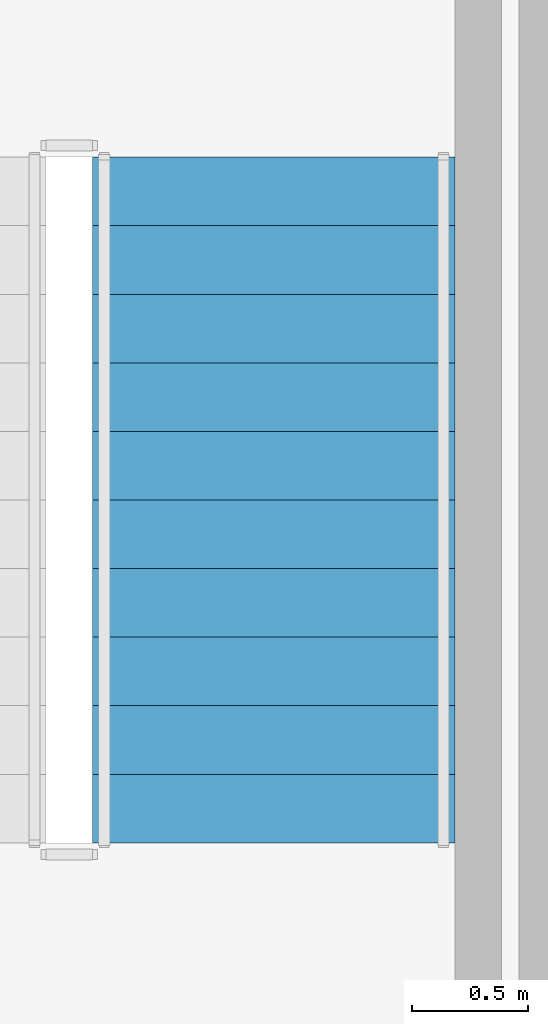
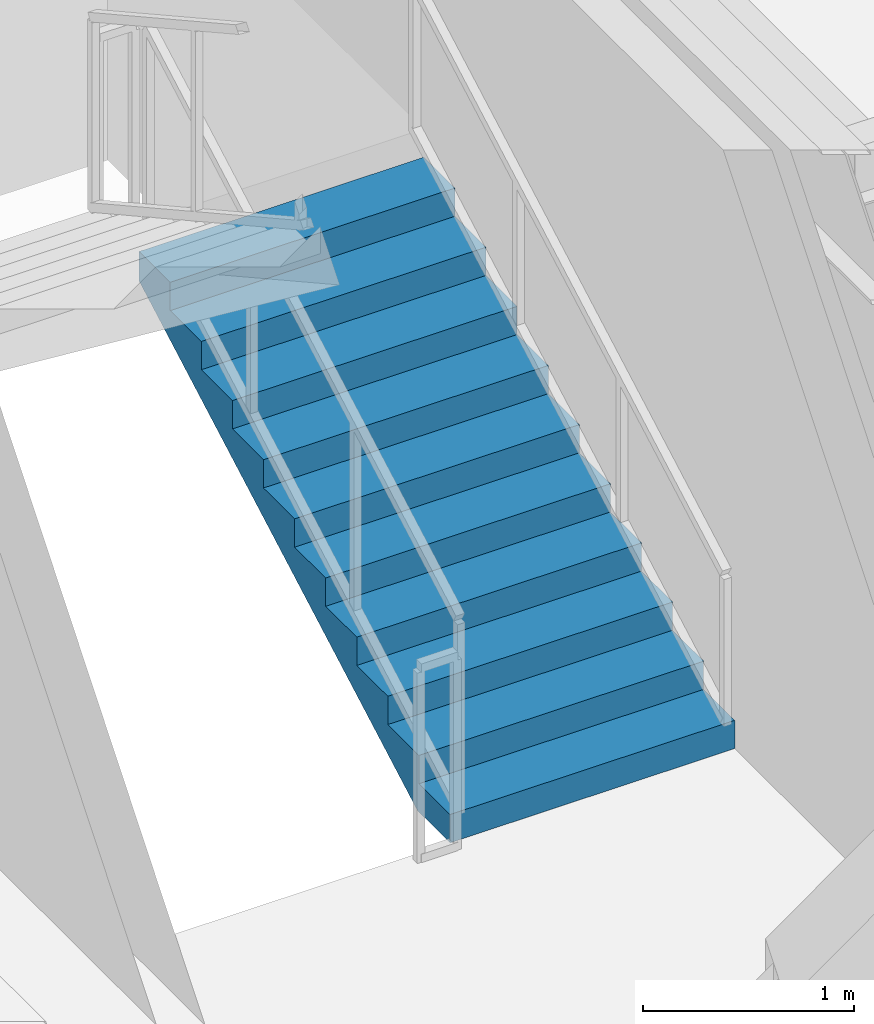
# One storey, part 21 of 22: 1 stair flight, 1 element without a shape of its own.
"""IFC4 building model written with IfcOpenShell, lengths in metres."""

import ifcopenshell
import ifcopenshell.guid

model = None  # the IFC model being written
_history = None  # IfcOwnerHistory: only IFC2X3 demands one
_inside = {}  # id of a spatial element -> (the spatial element, [elements in it])
_under = {}  # id of a project, library or spatial element -> (it, [spatial elements below it])
_declared = {}  # id of a project -> (the project, [libraries it declares])
_typed = {}  # id of a type object -> (the type object, [elements of that type])
_made_of = {}  # id of a material, layer set ... -> (it, [elements and type objects made of it])


def new_model(schema):
    """Start an empty IFC model of exactly this schema.

    Asked for "IFC4X3", IfcOpenShell would pick the latest addendum, in which some entities
    have other attributes; the version numbers below select the first issue.
    IFC2X3 requires an IfcOwnerHistory on every rooted entity: one is made here for all.
    """
    global model, _history
    if schema == "IFC4X3":
        model = ifcopenshell.file(schema_version=(4, 3, 0, 0))
    else:
        model = ifcopenshell.file(schema=schema)
    _inside.clear()
    _under.clear()
    _declared.clear()
    _typed.clear()
    _made_of.clear()
    _history = None
    if model.schema == "IFC2X3":
        org = make("IfcOrganization", Name="unknown")
        user = make(
            "IfcPersonAndOrganization",
            ThePerson=make("IfcPerson", FamilyName="unknown"),
            TheOrganization=org,
        )
        app = make(
            "IfcApplication",
            ApplicationDeveloper=org,
            Version="unknown",
            ApplicationFullName="unknown",
            ApplicationIdentifier="unknown",
        )
        _history = make(
            "IfcOwnerHistory",
            OwningUser=user,
            OwningApplication=app,
            ChangeAction="ADDED",
            CreationDate=0,
        )
    return model


def make(cls, **values):
    """One entity of the class cls with the attributes given. An attribute that is None is left unset."""
    return model.create_entity(
        cls, **{name: value for name, value in values.items() if value is not None}
    )


def rooted(cls, **values):
    """An entity with a GlobalId (a new one), such as an element, a storey or a relation."""
    return make(cls, GlobalId=ifcopenshell.guid.new(), OwnerHistory=_history, **values)


def si_unit(unit_type, name, prefix=None):
    """IfcSIUnit, for example si_unit("LENGTHUNIT", "METRE", prefix="MILLI")."""
    return make("IfcSIUnit", UnitType=unit_type, Prefix=prefix, Name=name)


def assignment(units):
    """IfcUnitAssignment: the units of a project."""
    return None if units is None else make("IfcUnitAssignment", Units=units)


def point(xyz):
    """IfcCartesianPoint."""
    return None if xyz is None else make("IfcCartesianPoint", Coordinates=xyz)


def direction(xyz):
    """IfcDirection."""
    return None if xyz is None else make("IfcDirection", DirectionRatios=xyz)


def frame(location, z_axis=None, x_axis=None):
    """IfcAxis2Placement3D, a coordinate frame: its origin and axes. An axis left out is left unset."""
    return make(
        "IfcAxis2Placement3D",
        Location=point(location),
        Axis=direction(z_axis),
        RefDirection=direction(x_axis),
    )


def origin():
    """The frame at (0, 0, 0) with its axes left unset."""
    return frame((0.0, 0.0, 0.0))


def place(relative_to, where):
    """IfcLocalPlacement: puts the frame where relative to a parent placement (None: the world)."""
    return make(
        "IfcLocalPlacement", PlacementRelTo=relative_to, RelativePlacement=where
    )


def context(
    kind, dimensions, precision=None, world=None, true_north=None, identifier=None
):
    """IfcGeometricRepresentationContext, for example the 3D "Model" context."""
    return make(
        "IfcGeometricRepresentationContext",
        ContextIdentifier=identifier,
        ContextType=kind,
        CoordinateSpaceDimension=dimensions,
        Precision=precision,
        WorldCoordinateSystem=world,
        TrueNorth=true_north,
    )


def subcontext(parent, identifier, kind, view, scale=None):
    """IfcGeometricRepresentationSubContext, for example "Body" below "Model"."""
    return make(
        "IfcGeometricRepresentationSubContext",
        ContextIdentifier=identifier,
        ContextType=kind,
        ParentContext=parent,
        TargetScale=scale,
        TargetView=view,
    )


def project(units=None, contexts=None):
    """IfcProject with its units and contexts."""
    return rooted(
        "IfcProject",
        Name="project",
        RepresentationContexts=contexts,
        UnitsInContext=assignment(units),
    )


def spatial(cls, under=None, at=None, **own):
    """A site, building, storey or space (cls), placed at a placement, below another one or the project."""
    s = rooted(cls, ObjectPlacement=at, **own)
    if under is not None:
        _under.setdefault(under.id(), (under, []))[1].append(s)
    return s


def polyline(points):
    """IfcPolyline through the points."""
    return make("IfcPolyline", Points=[point(p) for p in points])


def outline(outer, holes=None, kind="AREA"):
    """IfcArbitraryClosedProfileDef: a profile drawn as a closed curve; with holes, ...WithVoids."""
    if holes is None:
        return make("IfcArbitraryClosedProfileDef", ProfileType=kind, OuterCurve=outer)
    return make(
        "IfcArbitraryProfileDefWithVoids",
        ProfileType=kind,
        OuterCurve=outer,
        InnerCurves=holes,
    )


def extrude(swept, where, along, depth):
    """IfcExtrudedAreaSolid: the profile swept, set in the frame where, extruded along a direction by depth."""
    return make(
        "IfcExtrudedAreaSolid",
        SweptArea=swept,
        Position=where,
        ExtrudedDirection=direction(along),
        Depth=depth,
    )


def shape(context_of_items, identifier, shape_type, items):
    """IfcShapeRepresentation: the items that make up one representation, for example the "Body"."""
    return make(
        "IfcShapeRepresentation",
        ContextOfItems=context_of_items,
        RepresentationIdentifier=identifier,
        RepresentationType=shape_type,
        Items=items,
    )


def material(Name=None, Category=None):
    """IfcMaterial."""
    return make("IfcMaterial", Name=Name, Category=Category)


def made_of(thing, what):
    """Note that an element or type object is made of a material, layer set ...; save() writes the relation."""
    if what is not None:
        _made_of.setdefault(what.id(), (what, []))[1].append(thing)
    return thing


def type_object(cls, material=None, **own):
    """A type object (cls), such as IfcWallType, which elements share."""
    return made_of(rooted(cls, **own), material)


def element(
    cls,
    number,
    at=None,
    inside=None,
    cuts=None,
    type_object=None,
    material=None,
    context=None,
    identifier="Body",
    shape_type=None,
    held_by="IfcProductDefinitionShape",
    body=None,
    shapes=None,
    **own,
):
    """One element of the class cls, such as IfcWall. Its Tag is "e" and its number.

    at: its placement. inside: the storey or other place that contains it. cuts: it is an
    opening in that element (IfcRelVoidsElement). A single representation is given by context,
    identifier, shape_type and body (its items); several are given by shapes. held_by: the class
    of the entity that holds the representations. save() writes the other relations.
    """
    e = rooted(cls, Tag="e%d" % number, ObjectPlacement=at, **own)
    if body is not None:
        shapes = [shape(context, identifier, shape_type, body)]
    if shapes is not None:
        e.Representation = make(held_by, Representations=shapes)
    if inside is not None:
        _inside.setdefault(inside.id(), (inside, []))[1].append(e)
    if cuts is not None:
        rooted(
            "IfcRelVoidsElement", RelatingBuildingElement=cuts, RelatedOpeningElement=e
        )
    if type_object is not None:
        _typed.setdefault(type_object.id(), (type_object, []))[1].append(e)
    return made_of(e, material)


def aggregate(whole, parts):
    """IfcRelAggregates: a whole, such as a stair, and the parts it consists of."""
    return rooted("IfcRelAggregates", RelatingObject=whole, RelatedObjects=parts)


def save(model, path):
    """Write the relations noted so far, then the file.

    IfcRelAggregates (storeys below a building ...), IfcRelContainedInSpatialStructure (elements
    in a storey), IfcRelDefinesByType, IfcRelAssociatesMaterial and IfcRelDeclares: one each for
    every whole, place, type object, material and project.
    """
    for whole, parts in _under.values():
        aggregate(whole, parts)
    for where, things in _inside.values():
        rooted(
            "IfcRelContainedInSpatialStructure",
            RelatedElements=things,
            RelatingStructure=where,
        )
    for kind, things in _typed.values():
        rooted("IfcRelDefinesByType", RelatedObjects=things, RelatingType=kind)
    for what, things in _made_of.values():
        rooted("IfcRelAssociatesMaterial", RelatedObjects=things, RelatingMaterial=what)
    for by, libraries in _declared.values():
        rooted("IfcRelDeclares", RelatingContext=by, RelatedDefinitions=libraries)
    model.write(path)


model = new_model("IFC4")

# Units and contexts
model_context = context("Model", 3, precision=1e-05, world=origin(), true_north=direction((0.0, 1.0)))
body_context = subcontext(model_context, "Body", "Model", "MODEL_VIEW")
ifc_project = project(units=[si_unit("LENGTHUNIT", "METRE"), si_unit("AREAUNIT", "SQUARE_METRE"), si_unit("VOLUMEUNIT", "CUBIC_METRE"), si_unit("PLANEANGLEUNIT", "RADIAN"), si_unit("MASSUNIT", "GRAM", prefix="KILO")], contexts=[model_context])

# Site, building, storey
site_placement = place(None, origin())
site = spatial("IfcSite", under=ifc_project, at=site_placement, CompositionType="ELEMENT")
building_placement = place(site_placement, origin())
building = spatial("IfcBuilding", under=site, at=building_placement, Name="Brelmoor Portico Tower", CompositionType="ELEMENT")
storey_placement = place(building_placement, frame((0.0, 0.0, 280.800048828125)))
storey = spatial("IfcBuildingStorey", under=building, at=storey_placement, Name="L74", CompositionType="ELEMENT", Elevation=280.800048828125)

# Stair, stair flight
ifc_material = material(Name="Concrete C40", Category="concrete")
stair_type = type_object("IfcStairType", Name="ST-CORE-E", PredefinedType="HALF_TURN_STAIR", material=ifc_material)
stair_placement = place(storey_placement, origin())
stair = element("IfcStair", 1, at=stair_placement, inside=storey, type_object=stair_type, Name="L74 Protected Core Exit Stair ST-E", PredefinedType="HALF_TURN_STAIR")
stair_flight_type = type_object("IfcStairFlightType", Name="SF-CORE-1850", PredefinedType="STRAIGHT", material=ifc_material)
stair_flight_placement = place(storey_placement, frame((13.27001953125, 3.35009765625, 0.0), z_axis=(0.0, 0.0, 1.0), x_axis=(0.0, 1.0, 0.0)))
stair_flight = element("IfcStairFlight", 2, at=stair_flight_placement, type_object=stair_flight_type, Name="ST-E flight 1", NumberOfRisers=11, NumberOfTreads=10, PredefinedType="STRAIGHT", RiserHeight=0.163636364, TreadLength=0.295, context=body_context, shape_type="SweptSolid", body=[
    extrude(outline(polyline([(0.0, 0.0), (0.0, 0.16357421875), (0.294921875, 0.16357421875), (0.294921875, 0.327392578125), (0.590087890625, 0.327392578125), (0.590087890625, 0.490966796875), (0.885009765625, 0.490966796875), (0.885009765625, 0.654541015625), (1.179931640625, 0.654541015625), (1.179931640625, 0.818115234375), (1.47509765625, 0.818115234375), (1.47509765625, 0.98193359375), (1.77001953125, 0.98193359375), (1.77001953125, 1.1455078125), (2.06494140625, 1.1455078125), (2.06494140625, 1.30908203125), (2.360107421875, 1.30908203125), (2.360107421875, 1.47265625), (2.655029296875, 1.47265625), (2.655029296875, 1.636474609375), (2.949951171875, 1.636474609375), (2.949951171875, 1.800048828125), (2.949951171875, 1.46484375), (0.30908203125, 0.0), (0.0, 0.0)])), frame((0.0, 0.780029296875, 0.0), z_axis=(0.0, -1.0, 0.0), x_axis=(1.0, 0.0, 0.0)), (0.0, 0.0, 1.0), 1.56005859375),
])
aggregate(stair, [stair_flight])

save(model, "model.ifc")
